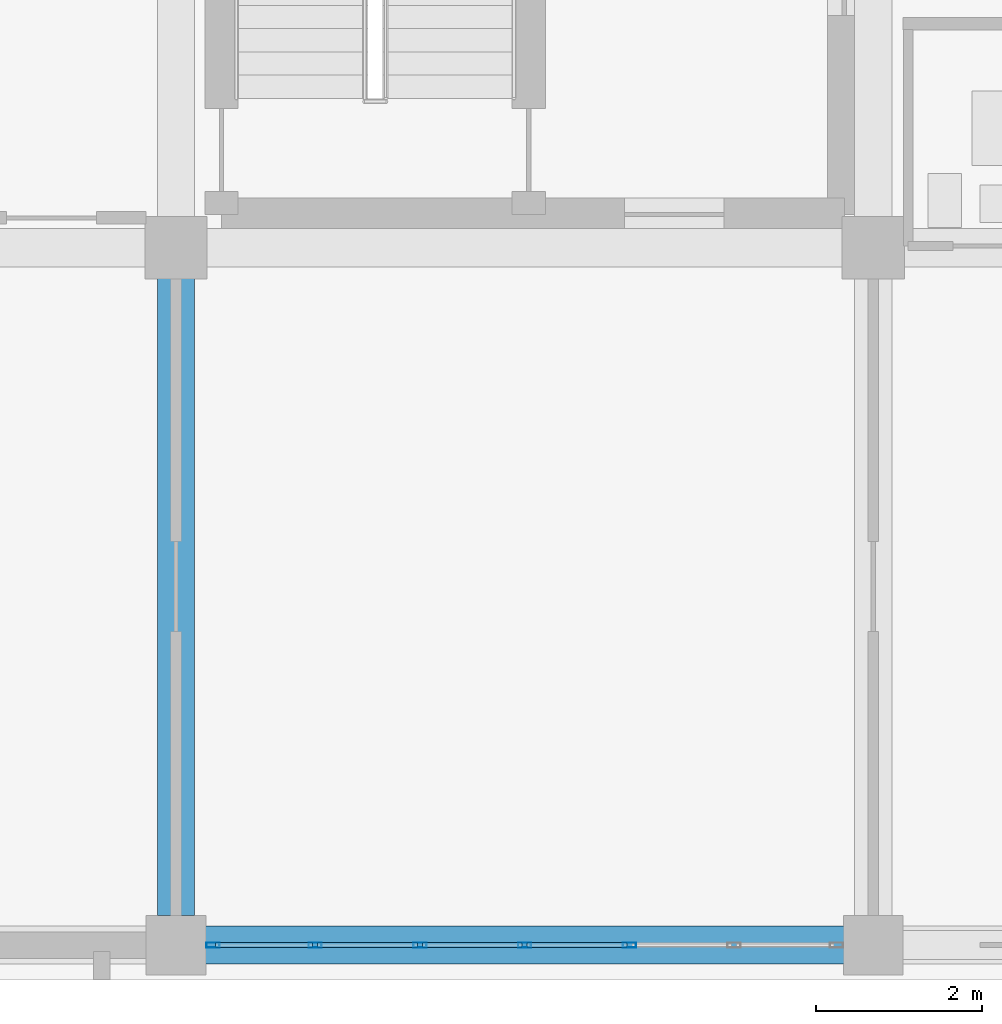
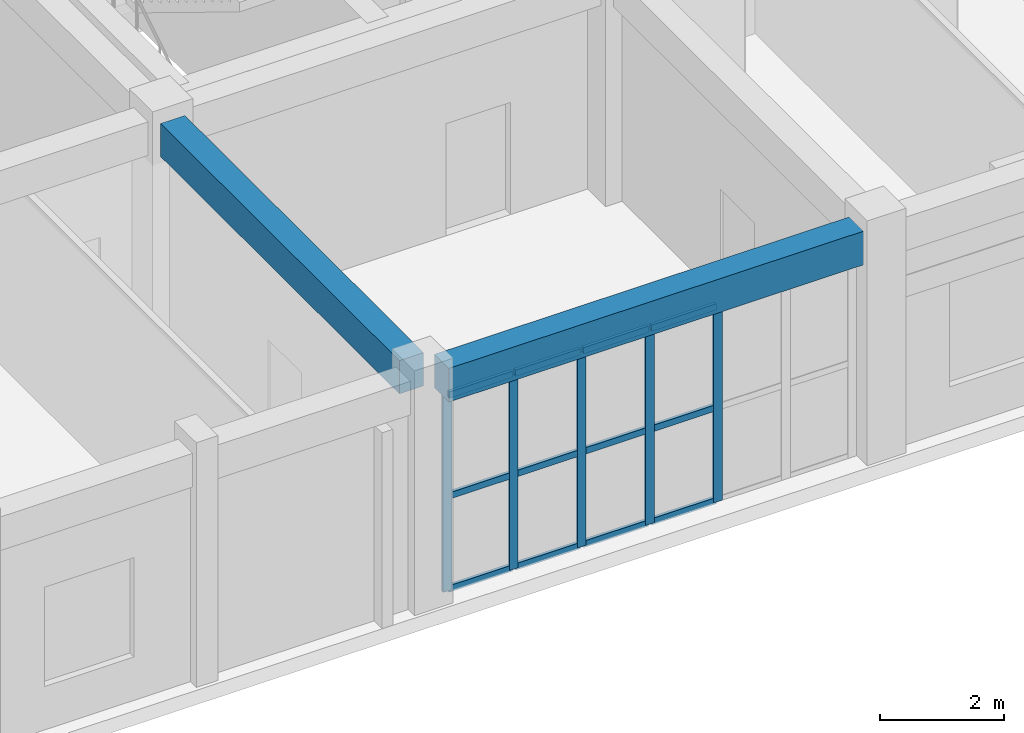
# One storey, part 17 of 158: 17 members, 2 beams, 1 element without a shape of its own.
"""IFC4 building model written with IfcOpenShell, lengths in metres."""

from ifc_helpers import new_model, si_unit, direction, frame, origin, origin_2d, place, context, subcontext, project, spatial, rectangle, hollow_rectangle, extrude, material, layer, layer_set, material_profile, profile_set, type_object, element, aggregate, save


model = new_model("IFC4")

# Units and contexts
model_context = context("Model", 3, precision=1e-05, world=origin(), true_north=direction((0.0, 1.0)))
body_context = subcontext(model_context, "Body", "Model", "MODEL_VIEW")
ifc_project = project(units=[si_unit("LENGTHUNIT", "METRE"), si_unit("AREAUNIT", "SQUARE_METRE"), si_unit("VOLUMEUNIT", "CUBIC_METRE"), si_unit("PLANEANGLEUNIT", "RADIAN"), si_unit("MASSUNIT", "GRAM", prefix="KILO")], contexts=[model_context])

# Site, building, storey
site_placement = place(None, origin())
site = spatial("IfcSite", under=ifc_project, at=site_placement, CompositionType="ELEMENT")
building_placement = place(site_placement, origin())
building = spatial("IfcBuilding", under=site, at=building_placement, Name="Trelvath General Hospital", CompositionType="ELEMENT")
storey_placement = place(building_placement, frame((0.0, 0.0, 8.10009765625)))
storey = spatial("IfcBuildingStorey", under=building, at=storey_placement, Name="L02", CompositionType="ELEMENT", Elevation=8.10009765625)

# Beams
ifc_material_1 = material(Name="Concrete C35/45", Category="concrete")
ifc_material_profile_1 = material_profile(ifc_material_1, rectangle(XDim=0.449951171875, YDim=0.64990234375, at=origin_2d()), Name="RCB450x650")
ifc_profile_set_1 = profile_set([ifc_material_profile_1], Name="Concrete C35/45")
beam_type_1 = type_object("IfcBeamType", Name="Beam RC450x650", PredefinedType="BEAM", material=ifc_profile_set_1)
beam_1_placement = place(storey_placement, frame((42.0, 0.35498046875, 4.19482421875), z_axis=(0.0, 1.0, 0.0), x_axis=(-1.0, 0.0, 0.0)))
element("IfcBeam", 1, at=beam_1_placement, inside=storey, type_object=beam_type_1, Name="Grid Beam BY-205A", PredefinedType="BEAM", context=body_context, shape_type="SweptSolid", body=[
    extrude(rectangle(XDim=0.449951171875, YDim=0.64990234375, at=origin_2d()), origin(), (0.0, 0.0, 1.0), 7.675048828125),
])
ifc_material_2 = material(Name="Concrete C35/45", Category="concrete")
ifc_material_profile_2 = material_profile(ifc_material_2, rectangle(XDim=0.4599609375, YDim=0.659912109375, at=origin_2d()), Name="RCB460x660")
ifc_profile_set_2 = profile_set([ifc_material_profile_2], Name="Concrete C35/45")
beam_type_2 = type_object("IfcBeamType", Name="Beam RC460x660", PredefinedType="BEAM", material=ifc_profile_set_2)
beam_2_placement = place(storey_placement, frame((42.35498046875, 0.0, 4.18994140625), z_axis=(1.0, 0.0, 0.0), x_axis=(0.0, 1.0, 0.0)))
element("IfcBeam", 2, at=beam_2_placement, inside=storey, type_object=beam_type_2, Name="Grid Beam BX-205A", PredefinedType="BEAM", context=body_context, shape_type="SweptSolid", body=[
    extrude(rectangle(XDim=0.4599609375, YDim=0.659912109375, at=origin_2d()), origin(), (0.0, 0.0, 1.0), 7.68994140625),
])

# Curtain wall, members
ifc_material_3 = material(Name="Anodised aluminium and low-E glass", Category="aluminium")
ifc_layer = layer(ifc_material_3, 0.159912109375)
ifc_layer_set = layer_set([ifc_layer], Name="Anodised aluminium and low-E glass")
curtain_wall_type = type_object("IfcCurtainWallType", Name="CW Facade 757 386 16", PredefinedType="USERDEFINED", material=ifc_layer_set)
curtain_wall_placement = place(storey_placement, origin())
curtain_wall = element("IfcCurtainWall", 3, at=curtain_wall_placement, inside=storey, type_object=curtain_wall_type, Name="Facade Curtain Wall CW-040", ObjectType="Unitised Glazed Curtain Wall", PredefinedType="USERDEFINED")
ifc_material_4 = material(Name="Anodised aluminium", Category="aluminium")
ifc_material_profile_3 = material_profile(ifc_material_4, hollow_rectangle(XDim=0.06005859375, YDim=0.159912109375, WallThickness=0.00390625, at=origin_2d()), Name="RHS60x160x4")
ifc_profile_set_3 = profile_set([ifc_material_profile_3], Name="Anodised aluminium")
member_type_1 = type_object("IfcMemberType", Name="CurtainMullion 60x160", PredefinedType="MULLION", material=ifc_profile_set_3)
member_1_placement = place(storey_placement, frame((47.461669921875, 0.0, 0.0), z_axis=(0.0, 0.0, 1.0), x_axis=(0.0, -1.0, 0.0)))
member_1 = element("IfcMember", 4, at=member_1_placement, type_object=member_type_1, Name="CW-040 mullion 3", PredefinedType="MULLION", context=body_context, shape_type="SweptSolid", body=[
    extrude(hollow_rectangle(XDim=0.06005859375, YDim=0.159912109375, WallThickness=0.00390625, at=origin_2d()), origin(), (0.0, 0.0, 1.0), 3.85986328125),
])
member_2_placement = place(storey_placement, frame((46.199951171875, 0.0, 0.0), z_axis=(0.0, 0.0, 1.0), x_axis=(0.0, -1.0, 0.0)))
member_2 = element("IfcMember", 5, at=member_2_placement, type_object=member_type_1, Name="CW-040 mullion 4", PredefinedType="MULLION", context=body_context, shape_type="SweptSolid", body=[
    extrude(hollow_rectangle(XDim=0.06005859375, YDim=0.159912109375, WallThickness=0.00390625, at=origin_2d()), origin(), (0.0, 0.0, 1.0), 3.85986328125),
])
member_3_placement = place(storey_placement, frame((44.938232421875, 0.0, 0.0), z_axis=(0.0, 0.0, 1.0), x_axis=(0.0, -1.0, 0.0)))
member_3 = element("IfcMember", 6, at=member_3_placement, type_object=member_type_1, Name="CW-040 mullion 5", PredefinedType="MULLION", context=body_context, shape_type="SweptSolid", body=[
    extrude(hollow_rectangle(XDim=0.06005859375, YDim=0.159912109375, WallThickness=0.00390625, at=origin_2d()), origin(), (0.0, 0.0, 1.0), 3.85986328125),
])
member_4_placement = place(storey_placement, frame((43.6767578125, 0.0, 0.0), z_axis=(0.0, 0.0, 1.0), x_axis=(0.0, -1.0, 0.0)))
member_4 = element("IfcMember", 7, at=member_4_placement, type_object=member_type_1, Name="CW-040 mullion 6", PredefinedType="MULLION", context=body_context, shape_type="SweptSolid", body=[
    extrude(hollow_rectangle(XDim=0.06005859375, YDim=0.159912109375, WallThickness=0.00390625, at=origin_2d()), origin(), (0.0, 0.0, 1.0), 3.85986328125),
])
member_5_placement = place(storey_placement, frame((42.445068359375, 0.0, 0.0), z_axis=(0.0, 0.0, 1.0), x_axis=(0.0, -1.0, 0.0)))
member_5 = element("IfcMember", 8, at=member_5_placement, type_object=member_type_1, Name="CW-040 mullion 7", PredefinedType="MULLION", context=body_context, shape_type="SweptSolid", body=[
    extrude(hollow_rectangle(XDim=0.06005859375, YDim=0.159912109375, WallThickness=0.00390625, at=origin_2d()), origin(), (0.0, 0.0, 1.0), 3.85986328125),
])
ifc_material_5 = material(Name="Anodised aluminium", Category="aluminium")
ifc_material_profile_4 = material_profile(ifc_material_5, hollow_rectangle(XDim=0.06005859375, YDim=0.125, WallThickness=0.00390625, at=origin_2d()), Name="RHS60x125x4")
ifc_profile_set_4 = profile_set([ifc_material_profile_4], Name="Anodised aluminium")
member_type_2 = type_object("IfcMemberType", Name="CurtainTransom 60x125", PredefinedType="USERDEFINED", material=ifc_profile_set_4)
member_6_placement = place(storey_placement, frame((47.431640625, 0.0, 0.02978515625), z_axis=(-1.0, 0.0, 0.0), x_axis=(0.0, -1.0, 0.0)))
member_6 = element("IfcMember", 9, at=member_6_placement, type_object=member_type_2, Name="CW-040 transom 3.1", ObjectType="TRANSOM", PredefinedType="USERDEFINED", context=body_context, shape_type="SweptSolid", body=[
    extrude(hollow_rectangle(XDim=0.06005859375, YDim=0.125, WallThickness=0.00390625, at=origin_2d()), origin(), (0.0, 0.0, 1.0), 1.20166015625),
])
member_7_placement = place(storey_placement, frame((47.431640625, 0.0, 1.852783203125), z_axis=(-1.0, 0.0, 0.0), x_axis=(0.0, -1.0, 0.0)))
member_7 = element("IfcMember", 10, at=member_7_placement, type_object=member_type_2, Name="CW-040 transom 3.2", ObjectType="TRANSOM", PredefinedType="USERDEFINED", context=body_context, shape_type="SweptSolid", body=[
    extrude(hollow_rectangle(XDim=0.06005859375, YDim=0.125, WallThickness=0.00390625, at=origin_2d()), origin(), (0.0, 0.0, 1.0), 1.20166015625),
])
member_8_placement = place(storey_placement, frame((47.431640625, 0.0, 3.829833984375), z_axis=(-1.0, 0.0, 0.0), x_axis=(0.0, -1.0, 0.0)))
member_8 = element("IfcMember", 11, at=member_8_placement, type_object=member_type_2, Name="CW-040 transom 3.3", ObjectType="TRANSOM", PredefinedType="USERDEFINED", context=body_context, shape_type="SweptSolid", body=[
    extrude(hollow_rectangle(XDim=0.06005859375, YDim=0.125, WallThickness=0.00390625, at=origin_2d()), origin(), (0.0, 0.0, 1.0), 1.20166015625),
])
member_9_placement = place(storey_placement, frame((46.169921875, 0.0, 0.02978515625), z_axis=(-1.0, 0.0, 0.0), x_axis=(0.0, -1.0, 0.0)))
member_9 = element("IfcMember", 12, at=member_9_placement, type_object=member_type_2, Name="CW-040 transom 4.1", ObjectType="TRANSOM", PredefinedType="USERDEFINED", context=body_context, shape_type="SweptSolid", body=[
    extrude(hollow_rectangle(XDim=0.06005859375, YDim=0.125, WallThickness=0.00390625, at=origin_2d()), origin(), (0.0, 0.0, 1.0), 1.20166015625),
])
member_10_placement = place(storey_placement, frame((46.169921875, 0.0, 1.852783203125), z_axis=(-1.0, 0.0, 0.0), x_axis=(0.0, -1.0, 0.0)))
member_10 = element("IfcMember", 13, at=member_10_placement, type_object=member_type_2, Name="CW-040 transom 4.2", ObjectType="TRANSOM", PredefinedType="USERDEFINED", context=body_context, shape_type="SweptSolid", body=[
    extrude(hollow_rectangle(XDim=0.06005859375, YDim=0.125, WallThickness=0.00390625, at=origin_2d()), origin(), (0.0, 0.0, 1.0), 1.20166015625),
])
member_11_placement = place(storey_placement, frame((46.169921875, 0.0, 3.829833984375), z_axis=(-1.0, 0.0, 0.0), x_axis=(0.0, -1.0, 0.0)))
member_11 = element("IfcMember", 14, at=member_11_placement, type_object=member_type_2, Name="CW-040 transom 4.3", ObjectType="TRANSOM", PredefinedType="USERDEFINED", context=body_context, shape_type="SweptSolid", body=[
    extrude(hollow_rectangle(XDim=0.06005859375, YDim=0.125, WallThickness=0.00390625, at=origin_2d()), origin(), (0.0, 0.0, 1.0), 1.20166015625),
])
member_12_placement = place(storey_placement, frame((44.908447265625, 0.0, 0.02978515625), z_axis=(-1.0, 0.0, 0.0), x_axis=(0.0, -1.0, 0.0)))
member_12 = element("IfcMember", 15, at=member_12_placement, type_object=member_type_2, Name="CW-040 transom 5.1", ObjectType="TRANSOM", PredefinedType="USERDEFINED", context=body_context, shape_type="SweptSolid", body=[
    extrude(hollow_rectangle(XDim=0.06005859375, YDim=0.125, WallThickness=0.00390625, at=origin_2d()), origin(), (0.0, 0.0, 1.0), 1.20166015625),
])
member_13_placement = place(storey_placement, frame((44.908447265625, 0.0, 1.852783203125), z_axis=(-1.0, 0.0, 0.0), x_axis=(0.0, -1.0, 0.0)))
member_13 = element("IfcMember", 16, at=member_13_placement, type_object=member_type_2, Name="CW-040 transom 5.2", ObjectType="TRANSOM", PredefinedType="USERDEFINED", context=body_context, shape_type="SweptSolid", body=[
    extrude(hollow_rectangle(XDim=0.06005859375, YDim=0.125, WallThickness=0.00390625, at=origin_2d()), origin(), (0.0, 0.0, 1.0), 1.20166015625),
])
member_14_placement = place(storey_placement, frame((44.908447265625, 0.0, 3.829833984375), z_axis=(-1.0, 0.0, 0.0), x_axis=(0.0, -1.0, 0.0)))
member_14 = element("IfcMember", 17, at=member_14_placement, type_object=member_type_2, Name="CW-040 transom 5.3", ObjectType="TRANSOM", PredefinedType="USERDEFINED", context=body_context, shape_type="SweptSolid", body=[
    extrude(hollow_rectangle(XDim=0.06005859375, YDim=0.125, WallThickness=0.00390625, at=origin_2d()), origin(), (0.0, 0.0, 1.0), 1.20166015625),
])
member_15_placement = place(storey_placement, frame((43.646728515625, 0.0, 0.02978515625), z_axis=(-1.0, 0.0, 0.0), x_axis=(0.0, -1.0, 0.0)))
member_15 = element("IfcMember", 18, at=member_15_placement, type_object=member_type_2, Name="CW-040 transom 6.1", ObjectType="TRANSOM", PredefinedType="USERDEFINED", context=body_context, shape_type="SweptSolid", body=[
    extrude(hollow_rectangle(XDim=0.06005859375, YDim=0.125, WallThickness=0.00390625, at=origin_2d()), origin(), (0.0, 0.0, 1.0), 1.171630859375),
])
member_16_placement = place(storey_placement, frame((43.646728515625, 0.0, 1.852783203125), z_axis=(-1.0, 0.0, 0.0), x_axis=(0.0, -1.0, 0.0)))
member_16 = element("IfcMember", 19, at=member_16_placement, type_object=member_type_2, Name="CW-040 transom 6.2", ObjectType="TRANSOM", PredefinedType="USERDEFINED", context=body_context, shape_type="SweptSolid", body=[
    extrude(hollow_rectangle(XDim=0.06005859375, YDim=0.125, WallThickness=0.00390625, at=origin_2d()), origin(), (0.0, 0.0, 1.0), 1.171630859375),
])
member_17_placement = place(storey_placement, frame((43.646728515625, 0.0, 3.829833984375), z_axis=(-1.0, 0.0, 0.0), x_axis=(0.0, -1.0, 0.0)))
member_17 = element("IfcMember", 20, at=member_17_placement, type_object=member_type_2, Name="CW-040 transom 6.3", ObjectType="TRANSOM", PredefinedType="USERDEFINED", context=body_context, shape_type="SweptSolid", body=[
    extrude(hollow_rectangle(XDim=0.06005859375, YDim=0.125, WallThickness=0.00390625, at=origin_2d()), origin(), (0.0, 0.0, 1.0), 1.171630859375),
])
aggregate(curtain_wall, [member_1, member_2, member_3, member_4, member_5, member_6, member_7, member_8, member_9, member_10, member_11, member_12, member_13, member_14, member_15, member_16, member_17])

save(model, "model.ifc")
